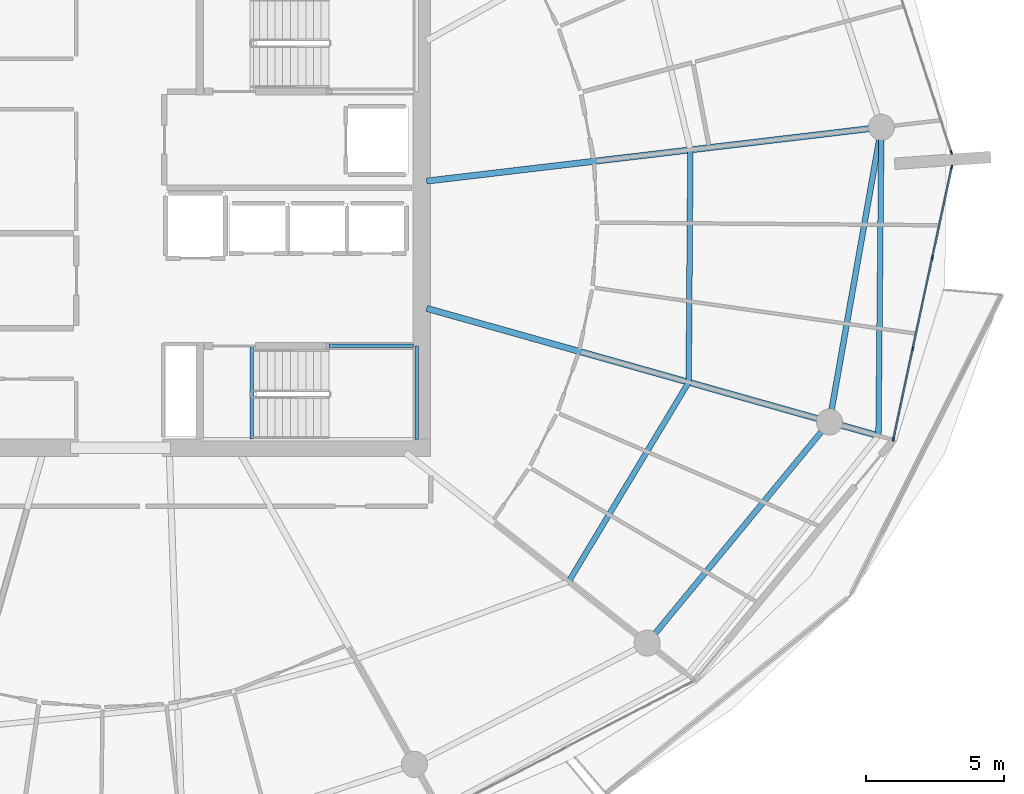
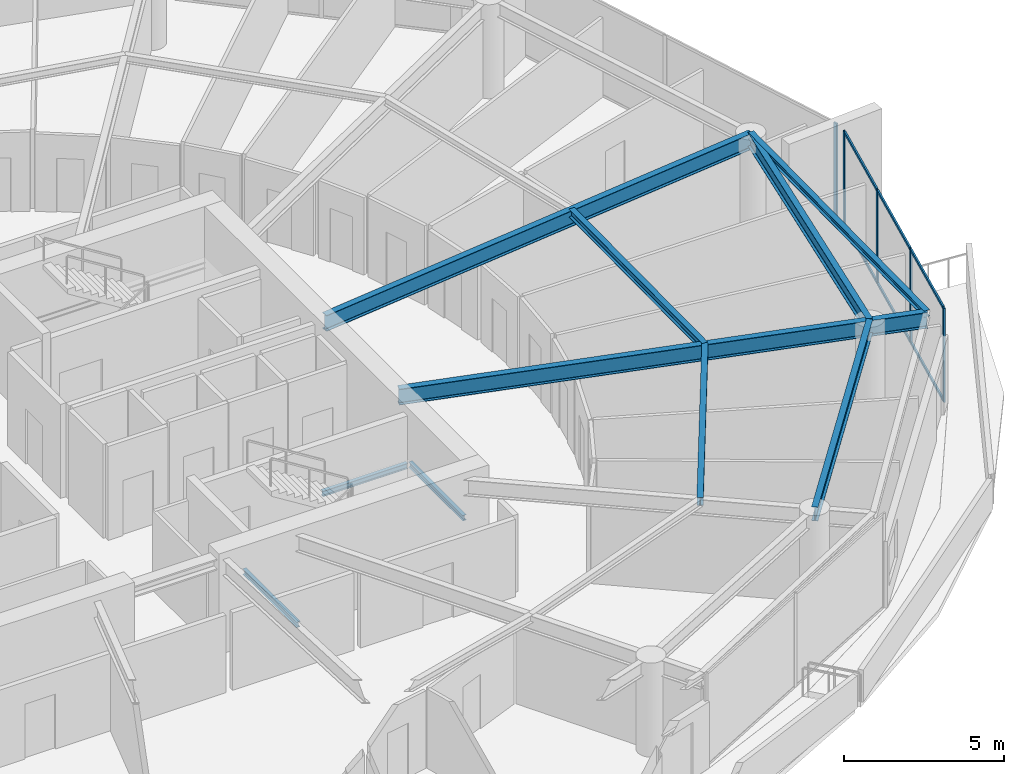
# One storey, part 11 of 30: 11 members, 10 beams, 2 elements without a shape of their own.
"""IFC4 building model written with IfcOpenShell, lengths in metres."""

from ifc_helpers import new_model, si_unit, direction, frame, origin, origin_2d, place, context, subcontext, project, spatial, rectangle, i_section, extrude, material, layer, layer_set, material_profile, profile_set, type_object, element, aggregate, save


model = new_model("IFC4")

# Units and contexts
model_context = context("Model", 3, precision=1e-05, world=origin(), true_north=direction((0.0, 1.0)))
body_context = subcontext(model_context, "Body", "Model", "MODEL_VIEW")
ifc_project = project(units=[si_unit("LENGTHUNIT", "METRE"), si_unit("AREAUNIT", "SQUARE_METRE"), si_unit("VOLUMEUNIT", "CUBIC_METRE"), si_unit("PLANEANGLEUNIT", "RADIAN"), si_unit("MASSUNIT", "GRAM", prefix="KILO")], contexts=[model_context])

# Site, building, storey
site_placement = place(None, origin())
site = spatial("IfcSite", under=ifc_project, at=site_placement, CompositionType="ELEMENT")
building_placement = place(site_placement, origin())
building = spatial("IfcBuilding", under=site, at=building_placement, Name="Kazma Halo Residences", CompositionType="ELEMENT")
storey_placement = place(building_placement, frame((0.0, 0.0, 267.5)))
storey = spatial("IfcBuildingStorey", under=building, at=storey_placement, Name="L67", CompositionType="ELEMENT", Elevation=267.5)

# Beams
ifc_material_1 = material(Name="Steel S355", Category="steel")
ifc_material_profile_1 = material_profile(ifc_material_1, i_section(OverallWidth=0.201904296875, OverallDepth=0.2470703125, WebThickness=0.00732421875, FlangeThickness=0.010986328125, FilletRadius=0.011962890625, at=origin_2d()), Name="W250x49.1")
ifc_profile_set_1 = profile_set([ifc_material_profile_1], Name="Steel S355")
beam_type_1 = type_object("IfcBeamType", Name="BM-BAL-CANT", PredefinedType="BEAM", material=ifc_profile_set_1)
beam_1_placement = place(storey_placement, frame((75.971435546875, 34.111083984375, 3.466552734375), z_axis=(0.009645503464, 0.999953481049, 0.0), x_axis=(-0.999953481049, 0.009645503464, 0.0)))
element("IfcBeam", 1, at=beam_1_placement, inside=storey, type_object=beam_type_1, Name="L67 wave-balcony tie beam 15", PredefinedType="BEAM", context=body_context, shape_type="SweptSolid", body=[
    extrude(i_section(OverallWidth=0.201904296875, OverallDepth=0.2470703125, WebThickness=0.00732421875, FlangeThickness=0.010986328125, FilletRadius=0.011962890625, at=origin_2d()), origin(), (0.0, 0.0, 1.0), 11.212890625),
])
ifc_material_profile_2 = material_profile(ifc_material_1, i_section(OverallWidth=0.22802734375, OverallDepth=0.60791015625, WebThickness=0.01123046875, FlangeThickness=0.017333984375, FilletRadius=0.01806640625, at=origin_2d()), Name="W610x113")
ifc_profile_set_2 = profile_set([ifc_material_profile_2], Name="Steel S355")
beam_type_2 = type_object("IfcBeamType", Name="BM-RAD-W610", PredefinedType="BEAM", material=ifc_profile_set_2)
beam_2_placement = place(storey_placement, frame((59.550048828125, 38.74267578125, 3.285888671875), z_axis=(0.96245092213, -0.271455746837, 0.0), x_axis=(0.271455746837, 0.96245092213, 0.0)))
element("IfcBeam", 2, at=beam_2_placement, inside=storey, type_object=beam_type_2, Name="L67 radial floor beam 15", PredefinedType="BEAM", context=body_context, shape_type="SweptSolid", body=[
    extrude(i_section(OverallWidth=0.22802734375, OverallDepth=0.60791015625, WebThickness=0.01123046875, FlangeThickness=0.017333984375, FilletRadius=0.01806640625, at=origin_2d()), origin(), (0.0, 0.0, 1.0), 17.06201171875),
])
beam_3_placement = place(storey_placement, frame((59.550048828125, 43.366943359375, 3.285888671875), z_axis=(0.993067455077, 0.117545861975, 0.0), x_axis=(-0.117545861975, 0.993067455077, 0.0)))
element("IfcBeam", 3, at=beam_3_placement, inside=storey, type_object=beam_type_2, Name="L67 radial floor beam 16", PredefinedType="BEAM", context=body_context, shape_type="SweptSolid", body=[
    extrude(i_section(OverallWidth=0.22802734375, OverallDepth=0.60791015625, WebThickness=0.01123046875, FlangeThickness=0.017333984375, FilletRadius=0.01806640625, at=origin_2d()), origin(), (0.0, 0.0, 1.0), 16.64501953125),
])
ifc_material_profile_3 = material_profile(ifc_material_1, i_section(OverallWidth=0.202880859375, OverallDepth=0.302978515625, WebThickness=0.007568359375, FlangeThickness=0.01318359375, FilletRadius=0.013916015625, at=origin_2d()), Name="W310x60")
ifc_profile_set_3 = profile_set([ifc_material_profile_3], Name="Steel S355")
beam_type_3 = type_object("IfcBeamType", Name="BM-SEC-W310A", PredefinedType="JOIST", material=ifc_profile_set_3)
beam_4_placement = place(storey_placement, frame((64.719482421875, 28.8193359375, 3.4384765625), z_axis=(0.515604761061, 0.856826546257, 0.0), x_axis=(-0.856826546257, 0.515604761061, 0.0)))
element("IfcBeam", 4, at=beam_4_placement, inside=storey, type_object=beam_type_3, Name="L67 circumferential floor joist 14", PredefinedType="JOIST", context=body_context, shape_type="SweptSolid", body=[
    extrude(i_section(OverallWidth=0.202880859375, OverallDepth=0.302978515625, WebThickness=0.007568359375, FlangeThickness=0.01318359375, FilletRadius=0.013916015625, at=origin_2d()), origin(), (0.0, 0.0, 1.0), 8.4462890625),
])
beam_5_placement = place(storey_placement, frame((69.074462890625, 36.056396484375, 3.4384765625), z_axis=(0.007429258426, 0.999972402679, 0.0), x_axis=(-0.999972402679, 0.007429258426, 0.0)))
element("IfcBeam", 5, at=beam_5_placement, inside=storey, type_object=beam_type_3, Name="L67 circumferential floor joist 15", PredefinedType="JOIST", context=body_context, shape_type="SweptSolid", body=[
    extrude(i_section(OverallWidth=0.202880859375, OverallDepth=0.302978515625, WebThickness=0.007568359375, FlangeThickness=0.01318359375, FilletRadius=0.013916015625, at=origin_2d()), origin(), (0.0, 0.0, 1.0), 8.445556640625),
])
ifc_material_profile_4 = material_profile(ifc_material_1, i_section(OverallWidth=0.208984375, OverallDepth=0.532958984375, WebThickness=0.01025390625, FlangeThickness=0.015625, FilletRadius=0.01611328125, at=origin_2d()), Name="W530x92")
ifc_profile_set_4 = profile_set([ifc_material_profile_4], Name="Steel S355")
beam_type_4 = type_object("IfcBeamType", Name="BM-SPN-W530", PredefinedType="BEAM", material=ifc_profile_set_4)
beam_6_placement = place(storey_placement, frame((67.566162109375, 26.5751953125, 3.323486328125), z_axis=(0.636002144225, 0.771687289348, 0.0), x_axis=(-0.771687289348, 0.636002144225, 0.0)))
element("IfcBeam", 6, at=beam_6_placement, inside=storey, type_object=beam_type_4, Name="L67 perimeter ring beam 14", PredefinedType="BEAM", context=body_context, shape_type="SweptSolid", body=[
    extrude(i_section(OverallWidth=0.208984375, OverallDepth=0.532958984375, WebThickness=0.01025390625, FlangeThickness=0.015625, FilletRadius=0.01611328125, at=origin_2d()), origin(), (0.0, 0.0, 1.0), 10.416259765625),
])
beam_7_placement = place(storey_placement, frame((74.19091796875, 34.61328125, 3.323486328125), z_axis=(0.173663672311, 0.984805020763, 0.0), x_axis=(-0.984805020763, 0.173663672311, 0.0)))
element("IfcBeam", 7, at=beam_7_placement, inside=storey, type_object=beam_type_4, Name="L67 perimeter ring beam 15", PredefinedType="BEAM", context=body_context, shape_type="SweptSolid", body=[
    extrude(i_section(OverallWidth=0.208984375, OverallDepth=0.532958984375, WebThickness=0.01025390625, FlangeThickness=0.015625, FilletRadius=0.01611328125, at=origin_2d()), origin(), (0.0, 0.0, 1.0), 10.87548828125),
])
ifc_material_profile_5 = material_profile(ifc_material_1, i_section(OverallWidth=0.133056640625, OverallDepth=0.20703125, WebThickness=0.005859375, FlangeThickness=0.00830078125, FilletRadius=0.010009765625, at=origin_2d()), Name="W200x26.6")
ifc_profile_set_5 = profile_set([ifc_material_profile_5], Name="Steel S355")
beam_type_5 = type_object("IfcBeamType", Name="BM-TRIM-W200", PredefinedType="BEAM", material=ifc_profile_set_5)
beam_8_placement = place(storey_placement, frame((53.199951171875, 34.0, -0.3701171875), z_axis=(0.0, 1.0, 0.0), x_axis=(-1.0, 0.0, 0.0)))
element("IfcBeam", 8, at=beam_8_placement, inside=storey, type_object=beam_type_5, Name="L67 ST-03 floor landing support beam", PredefinedType="BEAM", context=body_context, shape_type="SweptSolid", body=[
    extrude(i_section(OverallWidth=0.133056640625, OverallDepth=0.20703125, WebThickness=0.005859375, FlangeThickness=0.00830078125, FilletRadius=0.010009765625, at=origin_2d()), origin(), (0.0, 0.0, 1.0), 3.3798828125),
])
beam_9_placement = place(storey_placement, frame((56.0, 37.3798828125, 1.6201171875), z_axis=(1.0, 0.0, 0.0), x_axis=(0.0, 1.0, 0.0)))
element("IfcBeam", 9, at=beam_9_placement, inside=storey, type_object=beam_type_5, Name="L67 ST-03 landing north wall ledger", PredefinedType="BEAM", context=body_context, shape_type="SweptSolid", body=[
    extrude(i_section(OverallWidth=0.133056640625, OverallDepth=0.20703125, WebThickness=0.005859375, FlangeThickness=0.00830078125, FilletRadius=0.010009765625, at=origin_2d()), origin(), (0.0, 0.0, 1.0), 3.070068359375),
])
beam_10_placement = place(storey_placement, frame((59.18994140625, 33.97998046875, 1.6201171875), z_axis=(0.0, 1.0, 0.0), x_axis=(-1.0, 0.0, 0.0)))
element("IfcBeam", 10, at=beam_10_placement, inside=storey, type_object=beam_type_5, Name="L67 ST-03 landing end wall ledger", PredefinedType="BEAM", context=body_context, shape_type="SweptSolid", body=[
    extrude(i_section(OverallWidth=0.133056640625, OverallDepth=0.20703125, WebThickness=0.005859375, FlangeThickness=0.00830078125, FilletRadius=0.010009765625, at=origin_2d()), origin(), (0.0, 0.0, 1.0), 3.39990234375),
])

# Curtain wall, members
ifc_material_2 = material(Name="Aluminium AW-6063 T6 and Triple-Silver Low-E Glass", Category="aluminium")
ifc_layer = layer(ifc_material_2, 0.139892578125)
ifc_layer_set = layer_set([ifc_layer], Name="Aluminium AW-6063 T6 and Triple-Silver Low-E Glass")
curtain_wall_type = type_object("IfcCurtainWallType", Name="CW-SYS-5", PredefinedType="NOTDEFINED", material=ifc_layer_set)
curtain_wall_1_placement = place(storey_placement, origin())
curtain_wall_1 = element("IfcCurtainWall", 11, at=curtain_wall_1_placement, inside=storey, type_object=curtain_wall_type, Name="L67 unitised curtain wall B15", PredefinedType="NOTDEFINED")
ifc_material_3 = material(Name="Aluminium AW-6063 T6", Category="aluminium")
ifc_material_profile_6 = material_profile(ifc_material_3, rectangle(XDim=0.06005859375, YDim=0.139892578125, at=origin_2d()), Name="CWM-60x140")
ifc_profile_set_6 = profile_set([ifc_material_profile_6], Name="Aluminium AW-6063 T6")
member_type_1 = type_object("IfcMemberType", Name="CW-SYS-5-MUL", PredefinedType="MULLION", material=ifc_profile_set_6)
member_1_placement = place(storey_placement, frame((76.514892578125, 33.989013671875, 0.0), z_axis=(0.0, 0.0, 1.0), x_axis=(-0.97777491373, 0.209657382603, 0.0)))
member_1 = element("IfcMember", 12, at=member_1_placement, type_object=member_type_1, Name="CWS-5 mullion 1", PredefinedType="MULLION", context=body_context, shape_type="SweptSolid", body=[
    extrude(rectangle(XDim=0.06005859375, YDim=0.139892578125, at=origin_2d()), origin(), (0.0, 0.0, 1.0), 3.590087890625),
])
member_2_placement = place(storey_placement, frame((77.218994140625, 37.2734375, 0.0), z_axis=(0.0, 0.0, 1.0), x_axis=(-0.97777491373, 0.209657382603, 0.0)))
member_2 = element("IfcMember", 13, at=member_2_placement, type_object=member_type_1, Name="CWS-5 mullion 2", PredefinedType="MULLION", context=body_context, shape_type="SweptSolid", body=[
    extrude(rectangle(XDim=0.06005859375, YDim=0.139892578125, at=origin_2d()), origin(), (0.0, 0.0, 1.0), 3.590087890625),
])
member_3_placement = place(storey_placement, frame((77.9296875, 40.587158203125, 0.0), z_axis=(0.0, 0.0, 1.0), x_axis=(-0.97777491373, 0.209657382603, 0.0)))
member_3 = element("IfcMember", 14, at=member_3_placement, type_object=member_type_1, Name="CWS-5 mullion 3", PredefinedType="MULLION", context=body_context, shape_type="SweptSolid", body=[
    extrude(rectangle(XDim=0.06005859375, YDim=0.139892578125, at=origin_2d()), origin(), (0.0, 0.0, 1.0), 3.590087890625),
])
member_4_placement = place(storey_placement, frame((78.6337890625, 43.87158203125, 0.0), z_axis=(0.0, 0.0, 1.0), x_axis=(-0.97777491373, 0.209657382603, 0.0)))
member_4 = element("IfcMember", 15, at=member_4_placement, type_object=member_type_1, Name="CWS-5 mullion 4", PredefinedType="MULLION", context=body_context, shape_type="SweptSolid", body=[
    extrude(rectangle(XDim=0.06005859375, YDim=0.139892578125, at=origin_2d()), origin(), (0.0, 0.0, 1.0), 3.590087890625),
])

# Curtain wall, member
curtain_wall_2_placement = place(storey_placement, origin())
curtain_wall_2 = element("IfcCurtainWall", 16, at=curtain_wall_2_placement, inside=storey, type_object=curtain_wall_type, Name="L67 unitised curtain wall B16", PredefinedType="NOTDEFINED")
member_5_placement = place(storey_placement, frame((78.622802734375, 44.412353515625, 0.0), z_axis=(0.0, 0.0, 1.0), x_axis=(-0.951058464359, -0.309010998786, 0.0)))
member_5 = element("IfcMember", 17, at=member_5_placement, type_object=member_type_1, Name="CWS-5 mullion 1", PredefinedType="MULLION", context=body_context, shape_type="SweptSolid", body=[
    extrude(rectangle(XDim=0.06005859375, YDim=0.139892578125, at=origin_2d()), origin(), (0.0, 0.0, 1.0), 3.590087890625),
])
aggregate(curtain_wall_2, [member_5])

# Member
ifc_material_profile_7 = material_profile(ifc_material_3, rectangle(XDim=0.06005859375, YDim=0.10498046875, at=origin_2d()), Name="CWT-60x105")
ifc_profile_set_7 = profile_set([ifc_material_profile_7], Name="Aluminium AW-6063 T6")
member_type_2 = type_object("IfcMemberType", Name="CW-SYS-5-TRN", PredefinedType="USERDEFINED", material=ifc_profile_set_7)
member_6_placement = place(storey_placement, frame((76.52099609375, 34.0185546875, 0.030029296875), z_axis=(0.209660493552, 0.977774246666, 0.0), x_axis=(-0.977774246666, 0.209660493552, 0.0)))
member_6 = element("IfcMember", 18, at=member_6_placement, type_object=member_type_2, Name="CWS-5 transom 1.1", ObjectType="TRANSOM", PredefinedType="USERDEFINED", context=body_context, shape_type="SweptSolid", body=[
    extrude(rectangle(XDim=0.06005859375, YDim=0.10498046875, at=origin_2d()), origin(), (0.0, 0.0, 1.0), 3.298828125),
])

member_7_placement = place(storey_placement, frame((76.52099609375, 34.0185546875, 3.56005859375), z_axis=(0.209660493552, 0.977774246666, 0.0), x_axis=(-0.977774246666, 0.209660493552, 0.0)))
member_7 = element("IfcMember", 19, at=member_7_placement, type_object=member_type_2, Name="CWS-5 transom 1.2", ObjectType="TRANSOM", PredefinedType="USERDEFINED", context=body_context, shape_type="SweptSolid", body=[
    extrude(rectangle(XDim=0.06005859375, YDim=0.10498046875, at=origin_2d()), origin(), (0.0, 0.0, 1.0), 3.298828125),
])

member_8_placement = place(storey_placement, frame((77.225341796875, 37.302734375, 0.030029296875), z_axis=(0.209664309019, 0.977773428522, 0.0), x_axis=(-0.977773428522, 0.209664309019, 0.0)))
member_8 = element("IfcMember", 20, at=member_8_placement, type_object=member_type_2, Name="CWS-5 transom 2.1", ObjectType="TRANSOM", PredefinedType="USERDEFINED", context=body_context, shape_type="SweptSolid", body=[
    extrude(rectangle(XDim=0.06005859375, YDim=0.10498046875, at=origin_2d()), origin(), (0.0, 0.0, 1.0), 3.3291015625),
])

member_9_placement = place(storey_placement, frame((77.225341796875, 37.302734375, 3.56005859375), z_axis=(0.209664309019, 0.977773428522, 0.0), x_axis=(-0.977773428522, 0.209664309019, 0.0)))
member_9 = element("IfcMember", 21, at=member_9_placement, type_object=member_type_2, Name="CWS-5 transom 2.2", ObjectType="TRANSOM", PredefinedType="USERDEFINED", context=body_context, shape_type="SweptSolid", body=[
    extrude(rectangle(XDim=0.06005859375, YDim=0.10498046875, at=origin_2d()), origin(), (0.0, 0.0, 1.0), 3.3291015625),
])

member_10_placement = place(storey_placement, frame((77.935791015625, 40.616455078125, 0.030029296875), z_axis=(0.209645323239, 0.977777499457, 0.0), x_axis=(-0.977777499457, 0.209645323239, 0.0)))
member_10 = element("IfcMember", 22, at=member_10_placement, type_object=member_type_2, Name="CWS-5 transom 3.1", ObjectType="TRANSOM", PredefinedType="USERDEFINED", context=body_context, shape_type="SweptSolid", body=[
    extrude(rectangle(XDim=0.06005859375, YDim=0.10498046875, at=origin_2d()), origin(), (0.0, 0.0, 1.0), 3.299072265625),
])

member_11_placement = place(storey_placement, frame((77.935791015625, 40.616455078125, 3.56005859375), z_axis=(0.209645323239, 0.977777499457, 0.0), x_axis=(-0.977777499457, 0.209645323239, 0.0)))
member_11 = element("IfcMember", 23, at=member_11_placement, type_object=member_type_2, Name="CWS-5 transom 3.2", ObjectType="TRANSOM", PredefinedType="USERDEFINED", context=body_context, shape_type="SweptSolid", body=[
    extrude(rectangle(XDim=0.06005859375, YDim=0.10498046875, at=origin_2d()), origin(), (0.0, 0.0, 1.0), 3.299072265625),
])

aggregate(curtain_wall_1, [member_1, member_2, member_3, member_4, member_6, member_7, member_8, member_9, member_10, member_11])

save(model, "model.ifc")
